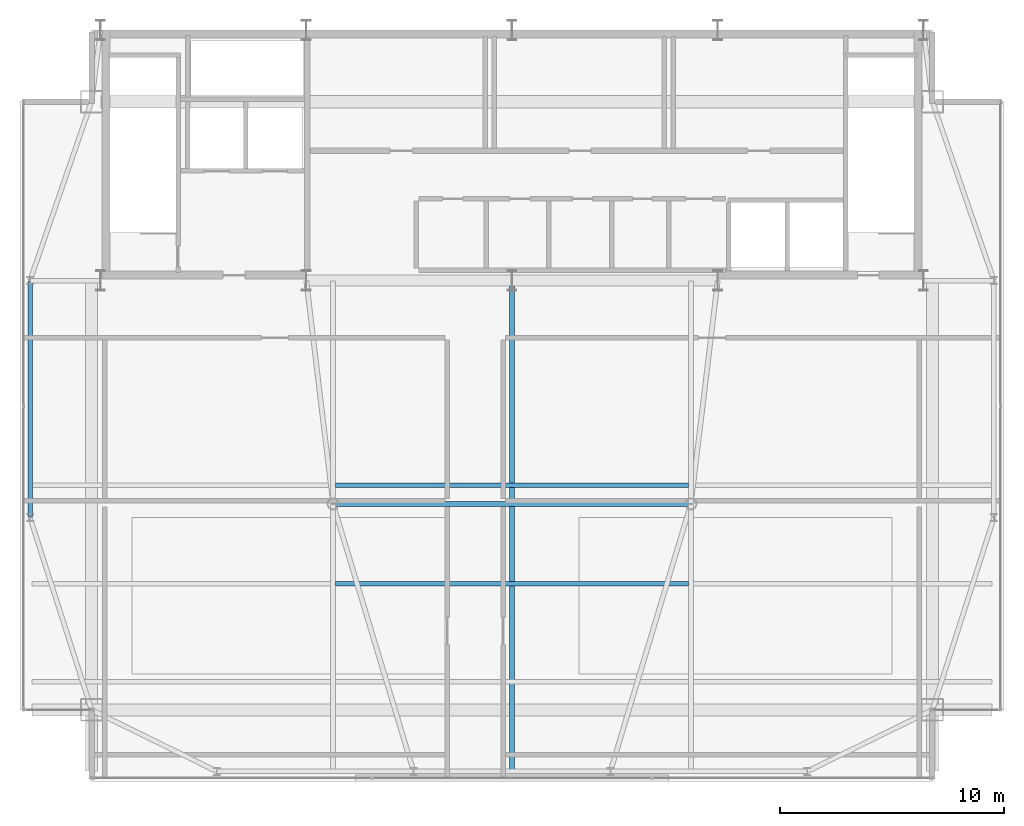
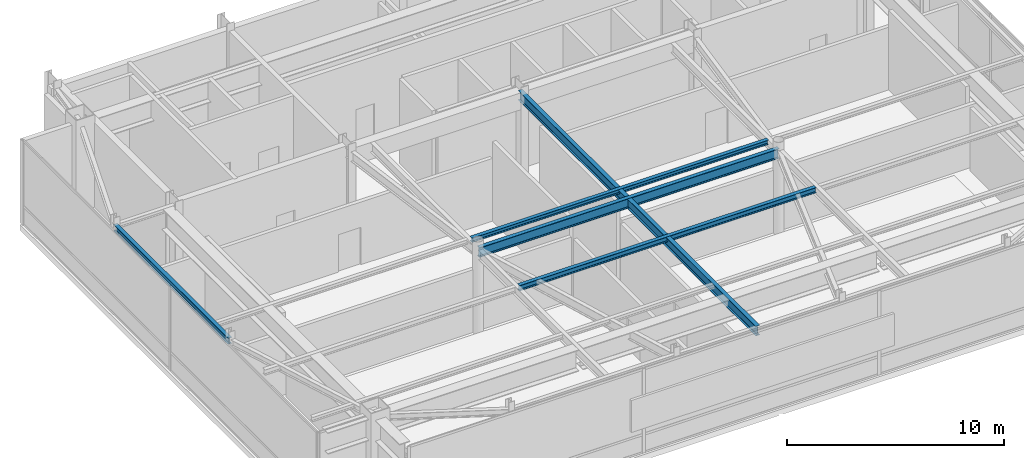
# One storey, part 9 of 20: 5 beams.
"""IFC4 building model written with IfcOpenShell, lengths in metres."""

from ifc_helpers import new_model, si_unit, direction, frame, origin, origin_2d, place, context, subcontext, project, spatial, i_section, extrude, source, transform, mapped, material, material_profile, profile_set, type_object, type_shapes, element, save


model = new_model("IFC4")

# Units and contexts
model_context = context("Model", 3, precision=1e-05, world=origin(), true_north=direction((0.0, 1.0)))
body_context = subcontext(model_context, "Body", "Model", "MODEL_VIEW")
ifc_project = project(units=[si_unit("LENGTHUNIT", "METRE"), si_unit("AREAUNIT", "SQUARE_METRE"), si_unit("VOLUMEUNIT", "CUBIC_METRE"), si_unit("PLANEANGLEUNIT", "RADIAN"), si_unit("MASSUNIT", "GRAM", prefix="KILO")], contexts=[model_context])

# Site, building, storey
site_placement = place(None, origin())
site = spatial("IfcSite", under=ifc_project, at=site_placement, CompositionType="ELEMENT")
building_placement = place(site_placement, origin())
building = spatial("IfcBuilding", under=site, at=building_placement, Name="Varnel Quay Broadcast Tower", CompositionType="ELEMENT")
storey_placement = place(building_placement, frame((0.0, 0.0, 314.60009765625)))
storey = spatial("IfcBuildingStorey", under=building, at=storey_placement, Name="L78", CompositionType="ELEMENT", Elevation=314.60009765625)

# Beams
ifc_material = material(Name="Structural Steel CSA G40.21 350W", Category="steel")
ifc_material_profile_1 = material_profile(ifc_material, i_section(OverallWidth=0.205078125, OverallDepth=0.35400390625, WebThickness=0.009521484375, FlangeThickness=0.016845703125, FilletRadius=0.012939453125, at=origin_2d()), Name="W360X79")
ifc_profile_set_1 = profile_set([ifc_material_profile_1], Name="Structural Steel CSA G40.21 350W")
beam_type_1 = type_object("IfcBeamType", Name="Beam_W360X79", PredefinedType="SPANDREL", material=ifc_profile_set_1)
shared_shape_1 = source(origin(), body_context, "Body", "SweptSolid", [
    extrude(i_section(OverallWidth=0.205078125, OverallDepth=0.35400390625, WebThickness=0.009521484375, FlangeThickness=0.016845703125, FilletRadius=0.012939453125, at=origin_2d()), origin(), (0.0, 0.0, 1.0), 10.56005859375),
])
type_shapes(beam_type_1, [shared_shape_1])
beam_1_placement = place(storey_placement, frame((12.449951171875, 25.02001953125, 4.572998046875), z_axis=(0.0, 1.0, 0.0), x_axis=(-1.0, 0.0, 0.0)))
element("IfcBeam", 1, at=beam_1_placement, inside=storey, type_object=beam_type_1, Name="L78 West Spandrel TC-W1-TC-W2", PredefinedType="SPANDREL", context=body_context, shape_type="MappedRepresentation", body=[
    mapped(shared_shape_1, transform((0.0, 0.0, 0.0), x_axis=(1.0, 0.0, 0.0), y_axis=(0.0, 1.0, 0.0), z_axis=(0.0, 0.0, 1.0), scale=1.0)),
])
ifc_material_profile_2 = material_profile(ifc_material, i_section(OverallWidth=0.2119140625, OverallDepth=0.5439453125, WebThickness=0.01318359375, FlangeThickness=0.021240234375, FilletRadius=0.013916015625, at=origin_2d()), Name="W530X123")
ifc_profile_set_2 = profile_set([ifc_material_profile_2], Name="Structural Steel CSA G40.21 350W")
beam_type_2 = type_object("IfcBeamType", Name="Girder_W530X123", PredefinedType="BEAM", material=ifc_profile_set_2)
shared_shape_2 = source(origin(), body_context, "Body", "SweptSolid", [
    extrude(i_section(OverallWidth=0.2119140625, OverallDepth=0.5439453125, WebThickness=0.01318359375, FlangeThickness=0.021240234375, FilletRadius=0.013916015625, at=origin_2d()), origin(), (0.0, 0.0, 1.0), 15.9599609375),
])
beam_2_placement = place(storey_placement, frame((26.02001953125, 25.610107421875, 4.477783203125), z_axis=(1.0, 0.0, 0.0), x_axis=(0.0, 1.0, 0.0)))
element("IfcBeam", 2, at=beam_2_placement, inside=storey, type_object=beam_type_2, Name="L78 Interior Spine Girder", PredefinedType="BEAM", context=body_context, shape_type="MappedRepresentation", body=[
    mapped(shared_shape_2, transform((0.0, 0.0, 0.0), x_axis=(1.0, 0.0, 0.0), y_axis=(0.0, 1.0, 0.0), z_axis=(0.0, 0.0, 1.0), scale=1.0)),
])
shared_shape_3 = source(origin(), body_context, "Body", "SweptSolid", [
    extrude(i_section(OverallWidth=0.2119140625, OverallDepth=0.5439453125, WebThickness=0.01318359375, FlangeThickness=0.021240234375, FilletRadius=0.013916015625, at=origin_2d()), origin(), (0.0, 0.0, 1.0), 21.91015625),
])
type_shapes(beam_type_2, [shared_shape_2, shared_shape_3])
beam_3_placement = place(storey_placement, frame((34.0, 13.669921875, 4.477783203125), z_axis=(0.0, 1.0, 0.0), x_axis=(-1.0, 0.0, 0.0)))
element("IfcBeam", 3, at=beam_3_placement, inside=storey, type_object=beam_type_2, Name="L78 Central Bay Girder", PredefinedType="BEAM", context=body_context, shape_type="MappedRepresentation", body=[
    mapped(shared_shape_3, transform((0.0, 0.0, 0.0), x_axis=(1.0, 0.0, 0.0), y_axis=(0.0, 1.0, 0.0), z_axis=(0.0, 0.0, 1.0), scale=1.0)),
])
ifc_material_profile_3 = material_profile(ifc_material, i_section(OverallWidth=0.201904296875, OverallDepth=0.2470703125, WebThickness=0.00732421875, FlangeThickness=0.010986328125, FilletRadius=0.010986328125, at=origin_2d()), Name="W250X49")
ifc_profile_set_3 = profile_set([ifc_material_profile_3], Name="Structural Steel CSA G40.21 350W")
beam_type_3 = type_object("IfcBeamType", Name="Beam_W250X49", PredefinedType="JOIST", material=ifc_profile_set_3)
shared_shape_4 = source(origin(), body_context, "Body", "SweptSolid", [
    extrude(i_section(OverallWidth=0.201904296875, OverallDepth=0.2470703125, WebThickness=0.00732421875, FlangeThickness=0.010986328125, FilletRadius=0.010986328125, at=origin_2d()), origin(), (0.0, 0.0, 1.0), 15.7978515625),
])
type_shapes(beam_type_3, [shared_shape_4])
beam_4_placement = place(storey_placement, frame((26.10107421875, 26.449951171875, 4.62646484375), z_axis=(1.0, 0.0, 0.0), x_axis=(0.0, 1.0, 0.0)))
element("IfcBeam", 4, at=beam_4_placement, inside=storey, type_object=beam_type_3, Name="L78 Central Floor Joist 3", PredefinedType="JOIST", context=body_context, shape_type="MappedRepresentation", body=[
    mapped(shared_shape_4, transform((0.0, 0.0, 0.0), x_axis=(1.0, 0.0, 0.0), y_axis=(0.0, 1.0, 0.0), z_axis=(0.0, 0.0, 1.0), scale=1.0)),
])
ifc_material_profile_4 = material_profile(ifc_material, i_section(OverallWidth=0.202880859375, OverallDepth=0.302978515625, WebThickness=0.007568359375, FlangeThickness=0.01318359375, FilletRadius=0.011962890625, at=origin_2d()), Name="W310X60")
ifc_profile_set_4 = profile_set([ifc_material_profile_4], Name="Structural Steel CSA G40.21 350W")
beam_type_4 = type_object("IfcBeamType", Name="Beam_W310X60", PredefinedType="JOIST", material=ifc_profile_set_4)
shared_shape_5 = source(origin(), body_context, "Body", "SweptSolid", [
    extrude(i_section(OverallWidth=0.202880859375, OverallDepth=0.302978515625, WebThickness=0.007568359375, FlangeThickness=0.01318359375, FilletRadius=0.011962890625, at=origin_2d()), origin(), (0.0, 0.0, 1.0), 15.7978515625),
])
type_shapes(beam_type_4, [shared_shape_5])
beam_5_placement = place(storey_placement, frame((26.10107421875, 22.050048828125, 4.598388671875), z_axis=(1.0, 0.0, 0.0), x_axis=(0.0, 1.0, 0.0)))
element("IfcBeam", 5, at=beam_5_placement, inside=storey, type_object=beam_type_4, Name="L78 Central Floor Joist 2", PredefinedType="JOIST", context=body_context, shape_type="MappedRepresentation", body=[
    mapped(shared_shape_5, transform((0.0, 0.0, 0.0), x_axis=(1.0, 0.0, 0.0), y_axis=(0.0, 1.0, 0.0), z_axis=(0.0, 0.0, 1.0), scale=1.0)),
])

save(model, "model.ifc")
